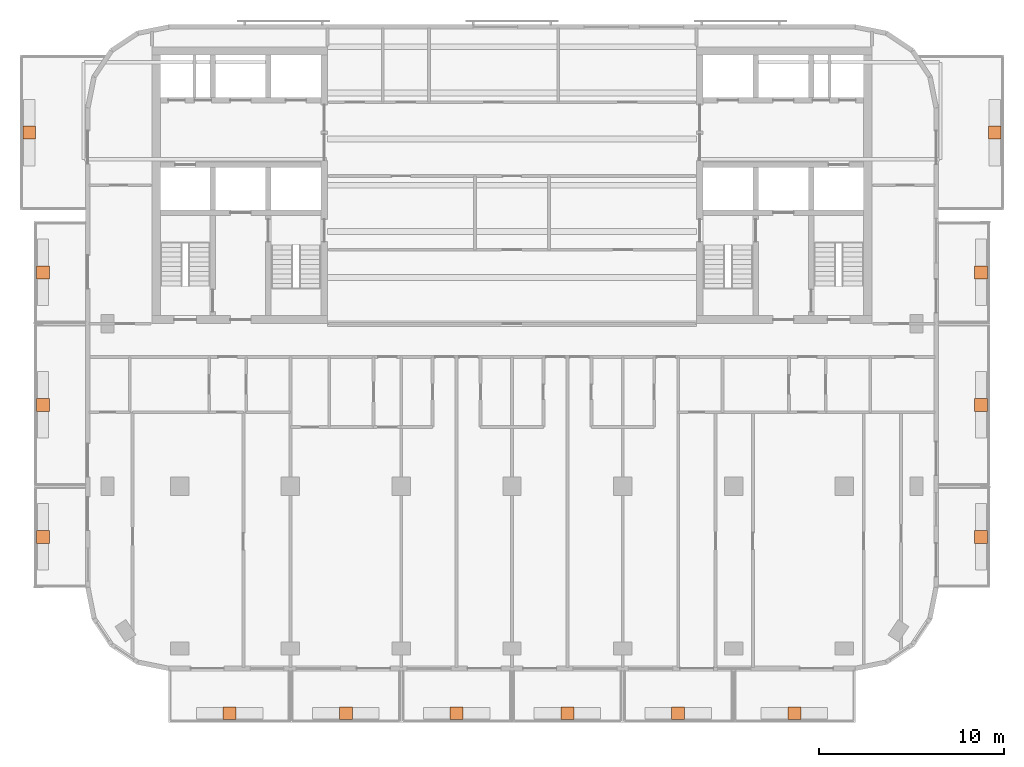
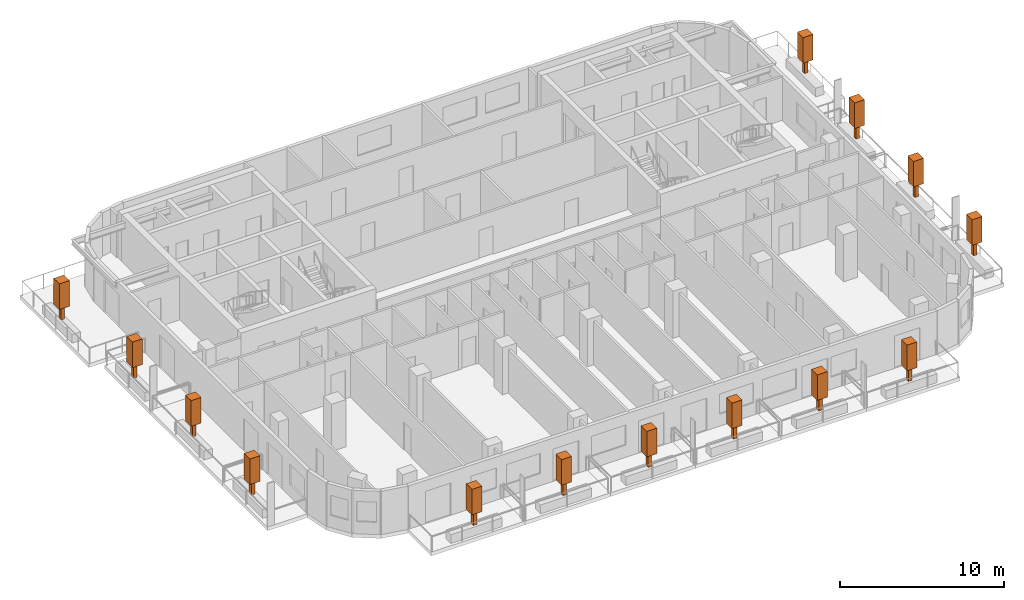
# One storey, part 11 of 11: 14 geographic elements.
"""IFC4 building model written with IfcOpenShell, lengths in metres."""

from ifc_helpers import new_model, si_unit, direction, frame, origin, origin_2d, place, context, subcontext, project, spatial, rectangle, extrude, material, element, save


model = new_model("IFC4")

# Units and contexts
model_context = context("Model", 3, precision=1e-05, world=origin(), true_north=direction((0.0, 1.0)))
body_context = subcontext(model_context, "Body", "Model", "MODEL_VIEW")
ifc_project = project(units=[si_unit("LENGTHUNIT", "METRE"), si_unit("AREAUNIT", "SQUARE_METRE"), si_unit("VOLUMEUNIT", "CUBIC_METRE"), si_unit("PLANEANGLEUNIT", "RADIAN"), si_unit("MASSUNIT", "GRAM", prefix="KILO")], contexts=[model_context])

# Site, building, storey
site_placement = place(None, origin())
site = spatial("IfcSite", under=ifc_project, at=site_placement, CompositionType="ELEMENT")
building_placement = place(site_placement, origin())
building = spatial("IfcBuilding", under=site, at=building_placement, Name="Torana Hotel and Residences", CompositionType="ELEMENT")
storey_placement = place(building_placement, frame((0.0, 0.0, 259.60009765625)))
storey = spatial("IfcBuildingStorey", under=building, at=storey_placement, Name="L68", CompositionType="ELEMENT", Elevation=259.60009765625)

# Geographic elements
ifc_material = material(Name="Foliage", Category="planting")
for number, where, z_axis, x_axis, name in (
    (1, (-15.300048828125, -36.10009765625, 0.64990234375), (0.0, 0.0, 1.0), (1.0, 0.0, 0.0), "Tree 01"),
    (2, (-9.0, -36.10009765625, 0.64990234375), (0.0, 0.0, 1.0), (1.0, 0.0, 0.0), "Tree 02"),
    (3, (-3.0, -36.10009765625, 0.64990234375), (0.0, 0.0, 1.0), (1.0, 0.0, 0.0), "Tree 03"),
    (4, (3.0, -36.10009765625, 0.64990234375), (0.0, 0.0, 1.0), (1.0, 0.0, 0.0), "Tree 04"),
    (5, (9.0, -36.10009765625, 0.64990234375), (0.0, 0.0, 1.0), (1.0, 0.0, 0.0), "Tree 05"),
    (6, (15.300048828125, -36.10009765625, 0.64990234375), (0.0, 0.0, 1.0), (1.0, 0.0, 0.0), "Tree 06"),
    (7, (-25.39990234375, -26.550048828125, 0.64990234375), (0.0, 0.0, 1.0), (1.0, 0.0, 0.0), "Tree 07"),
    (8, (-25.39990234375, -19.39990234375, 0.64990234375), (0.0, 0.0, 1.0), (1.0, 0.0, 0.0), "Tree 08"),
    (9, (-25.39990234375, -12.22509765625, 0.64990234375), (0.0, 0.0, 1.0), (1.0, 0.0, 0.0), "Tree 09"),
    (10, (-26.14990234375, -4.64990234375, 0.64990234375), (0.0, 0.0, 1.0), (1.0, 0.0, 0.0), "Tree 10"),
    (11, (25.39990234375, -26.550048828125, 0.64990234375), (0.0, 0.0, 1.0), (1.0, 0.0, 0.0), "Tree 11"),
    (12, (25.39990234375, -19.39990234375, 0.64990234375), (0.0, 0.0, 1.0), (1.0, 0.0, 0.0), "Tree 12"),
    (13, (25.39990234375, -12.22509765625, 0.64990234375), (0.0, 0.0, 1.0), (1.0, 0.0, 0.0), "Tree 13"),
    (14, (26.14990234375, -4.64990234375, 0.64990234375), (0.0, 0.0, 1.0), (1.0, 0.0, 0.0), "Tree 14"),
):
    element("IfcGeographicElement", number, at=place(storey_placement, frame(where, z_axis=z_axis, x_axis=x_axis)), inside=storey, material=ifc_material, Name=name, ObjectType="TREE", PredefinedType="USERDEFINED", context=body_context, shape_type="SweptSolid", body=[
        extrude(rectangle(XDim=0.25, YDim=0.25, at=origin_2d()), origin(), (0.0, 0.0, 1.0), 1.0),
        extrude(rectangle(XDim=0.699951171875, YDim=0.699951171875, at=origin_2d()), frame((0.0, 0.0, 1.0)), (0.0, 0.0, 1.0), 1.89990234375),
    ])

save(model, "model.ifc")
